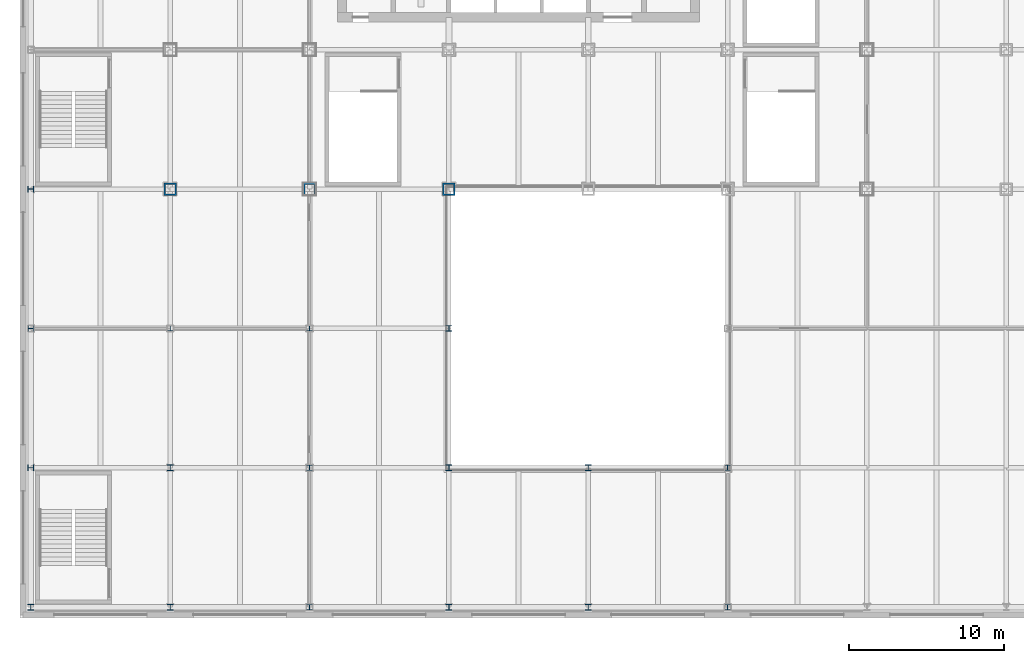
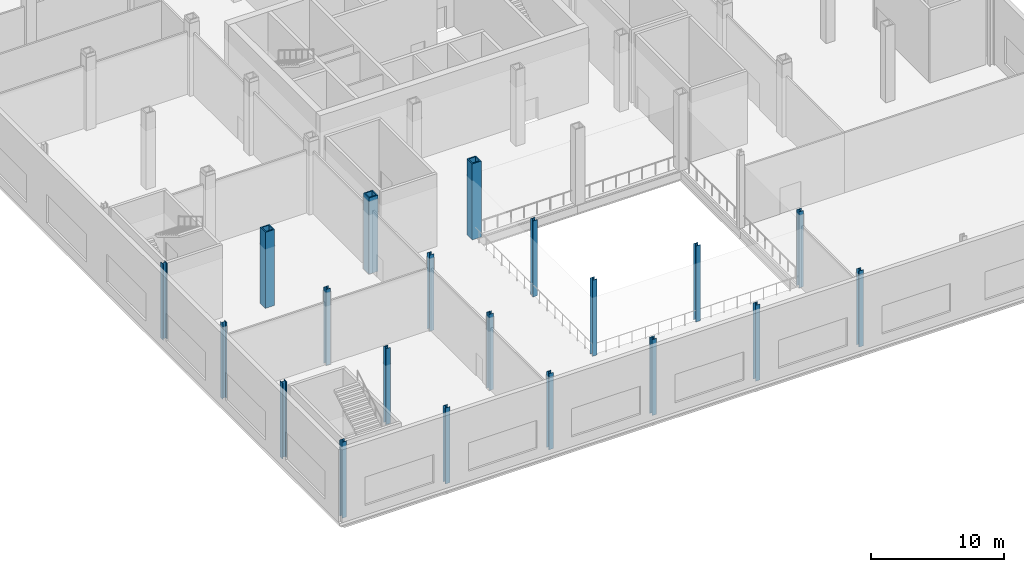
# One storey, part 1 of 32: 20 columns.
"""IFC4 building model written with IfcOpenShell, lengths in metres."""

from ifc_helpers import new_model, si_unit, direction, frame, origin, origin_2d, place, context, subcontext, project, spatial, hollow_rectangle, i_section, extrude, material, material_profile, profile_set, type_object, element, save


model = new_model("IFC4")

# Units and contexts
model_context = context("Model", 3, precision=1e-05, world=origin(), true_north=direction((0.0, 1.0)))
body_context = subcontext(model_context, "Body", "Model", "MODEL_VIEW")
ifc_project = project(units=[si_unit("LENGTHUNIT", "METRE"), si_unit("AREAUNIT", "SQUARE_METRE"), si_unit("VOLUMEUNIT", "CUBIC_METRE"), si_unit("PLANEANGLEUNIT", "RADIAN"), si_unit("MASSUNIT", "GRAM", prefix="KILO")], contexts=[model_context])

# Site, building, storey
site_placement = place(None, origin())
site = spatial("IfcSite", under=ifc_project, at=site_placement, CompositionType="ELEMENT")
building_placement = place(site_placement, origin())
building = spatial("IfcBuilding", under=site, at=building_placement, Name="Loomwork Tower", CompositionType="ELEMENT")
storey_placement = place(building_placement, frame((0.0, 0.0, 16.0)))
storey = spatial("IfcBuildingStorey", under=building, at=storey_placement, Name="L03", CompositionType="ELEMENT", Elevation=16.0)

# Columns
ifc_material_1 = material(Name="Steel ASTM A572 Grade 50 plate", Category="steel")
ifc_material_profile_1 = material_profile(ifc_material_1, hollow_rectangle(XDim=0.800048828125, YDim=0.800048828125, WallThickness=0.10009765625, at=origin_2d()), Name="BOX800x100")
ifc_profile_set_1 = profile_set([ifc_material_profile_1], Name="Steel ASTM A572 Grade 50 plate")
column_type_1 = type_object("IfcColumnType", Name="EXOSKELETON PIER BOX800x100", PredefinedType="COLUMN", material=ifc_profile_set_1)
for number, where, z_axis, x_axis, name in (
    (1, (0.0, 0.0, 0.0), (0.0, 0.0, 1.0), (1.0, 0.0, 0.0), "Exoskeleton Pier D/2 L03"),
    (2, (9.0, 0.0, 0.0), (0.0, 0.0, 1.0), (1.0, 0.0, 0.0), "Exoskeleton Pier D/3 L03"),
    (3, (18.0, 0.0, 0.0), (0.0, 0.0, 1.0), (1.0, 0.0, 0.0), "Exoskeleton Pier D/4 L03"),
):
    element("IfcColumn", number, at=place(storey_placement, frame(where, z_axis=z_axis, x_axis=x_axis)), inside=storey, type_object=column_type_1, Name=name, PredefinedType="COLUMN", context=body_context, shape_type="SweptSolid", body=[
        extrude(hollow_rectangle(XDim=0.800048828125, YDim=0.800048828125, WallThickness=0.10009765625, at=origin_2d()), origin(), (0.0, 0.0, 1.0), 7.0),
    ])
ifc_material_2 = material(Name="Steel ASTM A992", Category="steel")
ifc_material_profile_2 = material_profile(ifc_material_2, i_section(OverallWidth=0.393798828125, OverallDepth=0.3759765625, WebThickness=0.017333984375, FlangeThickness=0.027587890625, at=origin_2d()), Name="W14x145")
ifc_profile_set_2 = profile_set([ifc_material_profile_2], Name="Steel ASTM A992")
column_type_2 = type_object("IfcColumnType", Name="PODIUM COLUMN W14x145", PredefinedType="COLUMN", material=ifc_profile_set_2)
for number, where, z_axis, x_axis, name in (
    (4, (-9.0, -27.0, 0.0), (0.0, 0.0, 1.0), (1.0, 0.0, 0.0), "Podium Column A/1 L03"),
    (5, (-9.0, -18.0, 0.0), (0.0, 0.0, 1.0), (0.0, 1.0, 0.0), "Podium Column B/1 L03"),
    (6, (-9.0, -9.0, 0.0), (0.0, 0.0, 1.0), (0.0, 1.0, 0.0), "Podium Column C/1 L03"),
    (7, (-9.0, 0.0, 0.0), (0.0, 0.0, 1.0), (0.0, 1.0, 0.0), "Podium Column D/1 L03"),
    (8, (0.0, -27.0, 0.0), (0.0, 0.0, 1.0), (1.0, 0.0, 0.0), "Podium Column A/2 L03"),
    (9, (0.0, -18.0, 0.0), (0.0, 0.0, 1.0), (1.0, 0.0, 0.0), "Podium Column B/2 L03"),
    (10, (0.0, -9.0, 0.0), (0.0, 0.0, 1.0), (1.0, 0.0, 0.0), "Podium Column C/2 L03"),
    (11, (9.0, -27.0, 0.0), (0.0, 0.0, 1.0), (1.0, 0.0, 0.0), "Podium Column A/3 L03"),
    (12, (9.0, -18.0, 0.0), (0.0, 0.0, 1.0), (1.0, 0.0, 0.0), "Podium Column B/3 L03"),
    (13, (9.0, -9.0, 0.0), (0.0, 0.0, 1.0), (1.0, 0.0, 0.0), "Podium Column C/3 L03"),
    (14, (18.0, -27.0, 0.0), (0.0, 0.0, 1.0), (1.0, 0.0, 0.0), "Podium Column A/4 L03"),
    (15, (18.0, -18.0, 0.0), (0.0, 0.0, 1.0), (1.0, 0.0, 0.0), "Podium Column B/4 L03"),
    (16, (18.0, -9.0, 0.0), (0.0, 0.0, 1.0), (1.0, 0.0, 0.0), "Podium Column C/4 L03"),
    (17, (27.0, -27.0, 0.0), (0.0, 0.0, 1.0), (1.0, 0.0, 0.0), "Podium Column A/5 L03"),
    (18, (27.0, -18.0, 0.0), (0.0, 0.0, 1.0), (1.0, 0.0, 0.0), "Podium Column B/5 L03"),
    (19, (36.0, -27.0, 0.0), (0.0, 0.0, 1.0), (1.0, 0.0, 0.0), "Podium Column A/6 L03"),
    (20, (36.0, -18.0, 0.0), (0.0, 0.0, 1.0), (1.0, 0.0, 0.0), "Podium Column B/6 L03"),
):
    element("IfcColumn", number, at=place(storey_placement, frame(where, z_axis=z_axis, x_axis=x_axis)), inside=storey, type_object=column_type_2, Name=name, PredefinedType="COLUMN", context=body_context, shape_type="SweptSolid", body=[
        extrude(i_section(OverallWidth=0.393798828125, OverallDepth=0.3759765625, WebThickness=0.017333984375, FlangeThickness=0.027587890625, at=origin_2d()), origin(), (0.0, 0.0, 1.0), 7.0),
    ])

save(model, "model.ifc")
